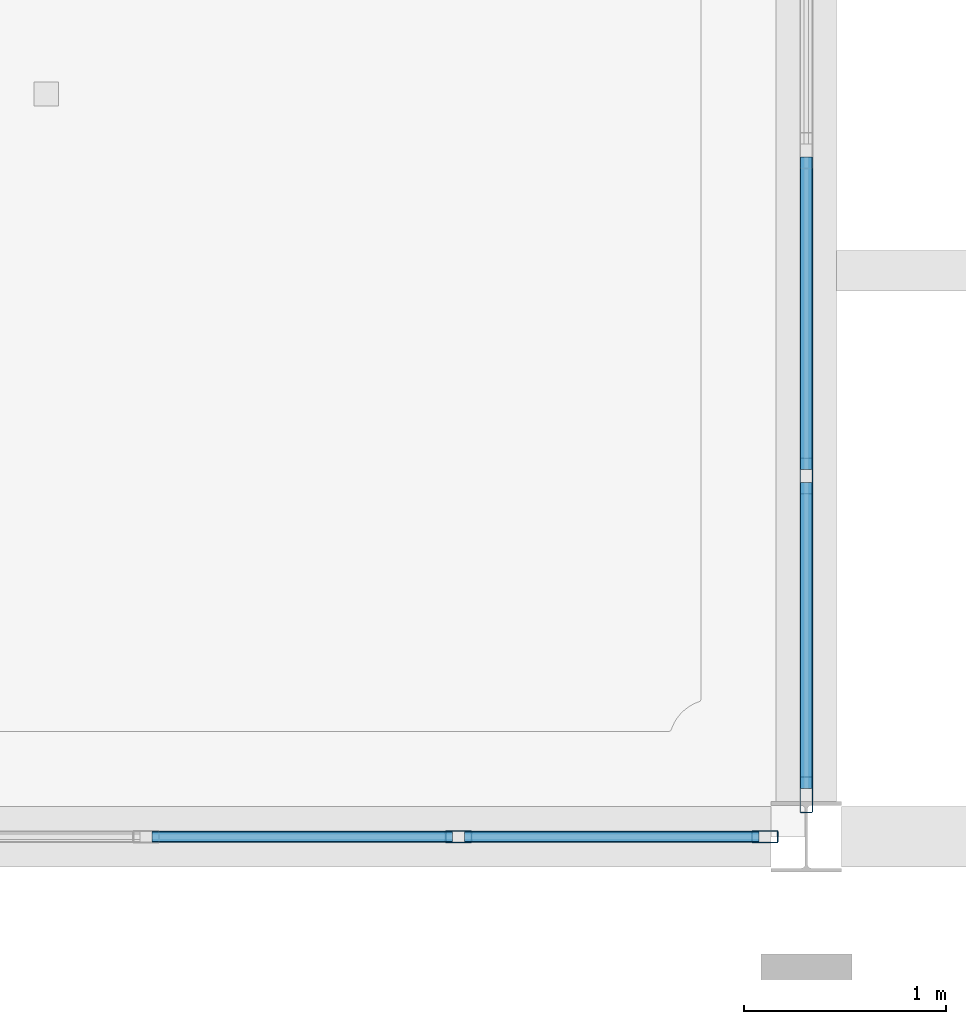
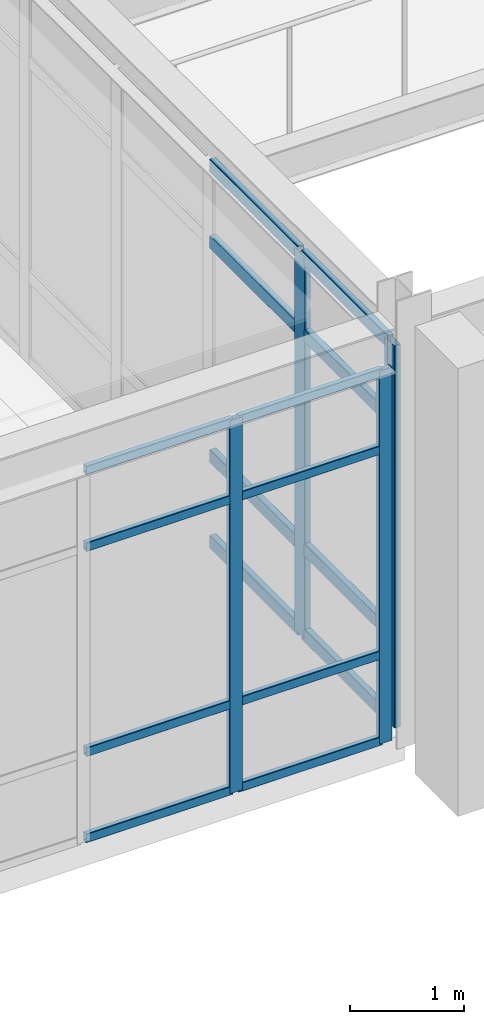
# One storey, part 33 of 139: 20 members, 2 elements without a shape of their own.
"""IFC4 building model written with IfcOpenShell, lengths in metres."""

from ifc_helpers import new_model, si_unit, direction, frame, origin, origin_2d, place, context, subcontext, project, spatial, hollow_rectangle, extrude, material, material_profile, profile_set, type_object, element, aggregate, save


model = new_model("IFC4")

# Units and contexts
model_context = context("Model", 3, precision=1e-05, world=origin(), true_north=direction((0.0, 1.0)))
body_context = subcontext(model_context, "Body", "Model", "MODEL_VIEW")
ifc_project = project(units=[si_unit("LENGTHUNIT", "METRE"), si_unit("AREAUNIT", "SQUARE_METRE"), si_unit("VOLUMEUNIT", "CUBIC_METRE"), si_unit("PLANEANGLEUNIT", "RADIAN"), si_unit("MASSUNIT", "GRAM", prefix="KILO")], contexts=[model_context])

# Site, building, storey
site_placement = place(None, origin())
site = spatial("IfcSite", under=ifc_project, at=site_placement, CompositionType="ELEMENT")
building_placement = place(site_placement, origin())
building = spatial("IfcBuilding", under=site, at=building_placement, Name="Canglan Escarpment Cableway Terminal", CompositionType="ELEMENT")
storey_placement = place(building_placement, frame((0.0, 0.0, 14.39990234375)))
storey = spatial("IfcBuildingStorey", under=building, at=storey_placement, Name="L03", CompositionType="ELEMENT", Elevation=14.39990234375)

# Curtain wall, members
ifc_material_1 = material(Name="Anodized bronze aluminium and Low-E double glazing", Category="aluminium")
curtain_wall_type_1 = type_object("IfcCurtainWallType", Name="CW-BAY-9275x4000", PredefinedType="NOTDEFINED", material=ifc_material_1)
curtain_wall_1_placement = place(storey_placement, origin())
curtain_wall_1 = element("IfcCurtainWall", 1, at=curtain_wall_1_placement, inside=storey, type_object=curtain_wall_type_1, Name="Classical bay-between-piers glazed curtain wall CW-29", PredefinedType="NOTDEFINED")
ifc_material_2 = material(Name="Thermally broken anodized aluminium 6063-T6", Category="aluminium")
ifc_material_profile_1 = material_profile(ifc_material_2, hollow_rectangle(XDim=0.06005859375, YDim=0.1298828125, WallThickness=0.0029296875, InnerFilletRadius=0.0029296875, OuterFilletRadius=0.006103515625, at=origin_2d()), Name="ALU-MULL 60x130x3")
ifc_profile_set_1 = profile_set([ifc_material_profile_1], Name="Thermally broken anodized aluminium 6063-T6")
member_type_1 = type_object("IfcMemberType", Name="CWM-01", PredefinedType="MULLION", material=ifc_profile_set_1)
member_1_placement = place(storey_placement, frame((164.67919921875, 8.0, 0.0), z_axis=(0.0, 0.0, 1.0), x_axis=(0.0, 1.0, 0.0)))
member_1 = element("IfcMember", 2, at=member_1_placement, type_object=member_type_1, Name="CW-29 mullion 6", PredefinedType="MULLION", context=body_context, shape_type="SweptSolid", body=[
    extrude(hollow_rectangle(XDim=0.06005859375, YDim=0.1298828125, WallThickness=0.0029296875, InnerFilletRadius=0.0029296875, OuterFilletRadius=0.006103515625, at=origin_2d()), origin(), (0.0, 0.0, 1.0), 3.9970703125),
])
member_2_placement = place(storey_placement, frame((166.195068359375, 8.0, 0.0), z_axis=(0.0, 0.0, 1.0), x_axis=(0.0, 1.0, 0.0)))
member_2 = element("IfcMember", 3, at=member_2_placement, type_object=member_type_1, Name="CW-29 mullion 7", PredefinedType="MULLION", context=body_context, shape_type="SweptSolid", body=[
    extrude(hollow_rectangle(XDim=0.06005859375, YDim=0.1298828125, WallThickness=0.0029296875, InnerFilletRadius=0.0029296875, OuterFilletRadius=0.006103515625, at=origin_2d()), origin(), (0.0, 0.0, 1.0), 3.9970703125),
])

curtain_wall_type_2 = type_object("IfcCurtainWallType", Name="CW-BAY-8050x4100", PredefinedType="NOTDEFINED", material=ifc_material_1)
curtain_wall_2_placement = place(storey_placement, origin())
curtain_wall_2 = element("IfcCurtainWall", 4, at=curtain_wall_2_placement, inside=storey, type_object=curtain_wall_type_2, Name="Classical bay-between-piers glazed curtain wall CW-30", PredefinedType="NOTDEFINED")
ifc_material_profile_2 = material_profile(ifc_material_2, hollow_rectangle(XDim=0.06494140625, YDim=0.179931640625, WallThickness=0.00390625, InnerFilletRadius=0.00390625, OuterFilletRadius=0.008056640625, at=origin_2d()), Name="ALU-MULL 65x180x4")
ifc_profile_set_2 = profile_set([ifc_material_profile_2], Name="Thermally broken anodized aluminium 6063-T6")
member_type_2 = type_object("IfcMemberType", Name="CWM-03", PredefinedType="MULLION", material=ifc_profile_set_2)
member_3_placement = place(storey_placement, frame((166.39990234375, 8.20751953125, 0.0), z_axis=(0.0, 0.0, 1.0), x_axis=(-1.0, 0.0, 0.0)))
member_3 = element("IfcMember", 5, at=member_3_placement, type_object=member_type_2, Name="CW-30 mullion 1", PredefinedType="MULLION", context=body_context, shape_type="SweptSolid", body=[
    extrude(hollow_rectangle(XDim=0.06494140625, YDim=0.179931640625, WallThickness=0.00390625, InnerFilletRadius=0.00390625, OuterFilletRadius=0.008056640625, at=origin_2d()), origin(), (0.0, 0.0, 1.0), 4.09521484375),
])
member_4_placement = place(storey_placement, frame((166.39990234375, 9.784912109375, 0.0), z_axis=(0.0, 0.0, 1.0), x_axis=(-1.0, 0.0, 0.0)))
member_4 = element("IfcMember", 6, at=member_4_placement, type_object=member_type_2, Name="CW-30 mullion 2", PredefinedType="MULLION", context=body_context, shape_type="SweptSolid", body=[
    extrude(hollow_rectangle(XDim=0.06494140625, YDim=0.179931640625, WallThickness=0.00390625, InnerFilletRadius=0.00390625, OuterFilletRadius=0.008056640625, at=origin_2d()), origin(), (0.0, 0.0, 1.0), 4.09521484375),
])

# Member
ifc_material_profile_3 = material_profile(ifc_material_2, hollow_rectangle(XDim=0.054931640625, YDim=0.094970703125, WallThickness=0.0029296875, InnerFilletRadius=0.0029296875, OuterFilletRadius=0.006103515625, at=origin_2d()), Name="ALU-TRAN 55x95x3")
ifc_profile_set_3 = profile_set([ifc_material_profile_3], Name="Thermally broken anodized aluminium 6063-T6")
member_type_3 = type_object("IfcMemberType", Name="CWT-01", PredefinedType="USERDEFINED", material=ifc_profile_set_3)
member_5_placement = place(storey_placement, frame((163.163330078125, 8.0, 0.027587890625), z_axis=(1.0, 0.0, 0.0), x_axis=(0.0, 1.0, 0.0)))
member_5 = element("IfcMember", 7, at=member_5_placement, type_object=member_type_3, Name="CW-29 transom 5.1", ObjectType="TRANSOM", PredefinedType="USERDEFINED", context=body_context, shape_type="SweptSolid", body=[
    extrude(hollow_rectangle(XDim=0.054931640625, YDim=0.094970703125, WallThickness=0.0029296875, InnerFilletRadius=0.0029296875, OuterFilletRadius=0.006103515625, at=origin_2d()), origin(), (0.0, 0.0, 1.0), 1.48583984375),
])

member_6_placement = place(storey_placement, frame((163.163330078125, 8.0, 0.9501953125), z_axis=(1.0, 0.0, 0.0), x_axis=(0.0, 1.0, 0.0)))
member_6 = element("IfcMember", 8, at=member_6_placement, type_object=member_type_3, Name="CW-29 transom 5.2", ObjectType="TRANSOM", PredefinedType="USERDEFINED", context=body_context, shape_type="SweptSolid", body=[
    extrude(hollow_rectangle(XDim=0.054931640625, YDim=0.094970703125, WallThickness=0.0029296875, InnerFilletRadius=0.0029296875, OuterFilletRadius=0.006103515625, at=origin_2d()), origin(), (0.0, 0.0, 1.0), 1.48583984375),
])

member_7_placement = place(storey_placement, frame((163.163330078125, 8.0, 3.147216796875), z_axis=(1.0, 0.0, 0.0), x_axis=(0.0, 1.0, 0.0)))
member_7 = element("IfcMember", 9, at=member_7_placement, type_object=member_type_3, Name="CW-29 transom 5.3", ObjectType="TRANSOM", PredefinedType="USERDEFINED", context=body_context, shape_type="SweptSolid", body=[
    extrude(hollow_rectangle(XDim=0.054931640625, YDim=0.094970703125, WallThickness=0.0029296875, InnerFilletRadius=0.0029296875, OuterFilletRadius=0.006103515625, at=origin_2d()), origin(), (0.0, 0.0, 1.0), 1.48583984375),
])

member_8_placement = place(storey_placement, frame((163.163330078125, 8.0, 3.969482421875), z_axis=(1.0, 0.0, 0.0), x_axis=(0.0, 1.0, 0.0)))
member_8 = element("IfcMember", 10, at=member_8_placement, type_object=member_type_3, Name="CW-29 transom 5.4", ObjectType="TRANSOM", PredefinedType="USERDEFINED", context=body_context, shape_type="SweptSolid", body=[
    extrude(hollow_rectangle(XDim=0.054931640625, YDim=0.094970703125, WallThickness=0.0029296875, InnerFilletRadius=0.0029296875, OuterFilletRadius=0.006103515625, at=origin_2d()), origin(), (0.0, 0.0, 1.0), 1.48583984375),
])

member_9_placement = place(storey_placement, frame((164.709228515625, 8.0, 0.027587890625), z_axis=(1.0, 0.0, 0.0), x_axis=(0.0, 1.0, 0.0)))
member_9 = element("IfcMember", 11, at=member_9_placement, type_object=member_type_3, Name="CW-29 transom 6.1", ObjectType="TRANSOM", PredefinedType="USERDEFINED", context=body_context, shape_type="SweptSolid", body=[
    extrude(hollow_rectangle(XDim=0.054931640625, YDim=0.094970703125, WallThickness=0.0029296875, InnerFilletRadius=0.0029296875, OuterFilletRadius=0.006103515625, at=origin_2d()), origin(), (0.0, 0.0, 1.0), 1.455810546875),
])

member_10_placement = place(storey_placement, frame((164.709228515625, 8.0, 0.9501953125), z_axis=(1.0, 0.0, 0.0), x_axis=(0.0, 1.0, 0.0)))
member_10 = element("IfcMember", 12, at=member_10_placement, type_object=member_type_3, Name="CW-29 transom 6.2", ObjectType="TRANSOM", PredefinedType="USERDEFINED", context=body_context, shape_type="SweptSolid", body=[
    extrude(hollow_rectangle(XDim=0.054931640625, YDim=0.094970703125, WallThickness=0.0029296875, InnerFilletRadius=0.0029296875, OuterFilletRadius=0.006103515625, at=origin_2d()), origin(), (0.0, 0.0, 1.0), 1.455810546875),
])

member_11_placement = place(storey_placement, frame((164.709228515625, 8.0, 3.147216796875), z_axis=(1.0, 0.0, 0.0), x_axis=(0.0, 1.0, 0.0)))
member_11 = element("IfcMember", 13, at=member_11_placement, type_object=member_type_3, Name="CW-29 transom 6.3", ObjectType="TRANSOM", PredefinedType="USERDEFINED", context=body_context, shape_type="SweptSolid", body=[
    extrude(hollow_rectangle(XDim=0.054931640625, YDim=0.094970703125, WallThickness=0.0029296875, InnerFilletRadius=0.0029296875, OuterFilletRadius=0.006103515625, at=origin_2d()), origin(), (0.0, 0.0, 1.0), 1.455810546875),
])

member_12_placement = place(storey_placement, frame((164.709228515625, 8.0, 3.969482421875), z_axis=(1.0, 0.0, 0.0), x_axis=(0.0, 1.0, 0.0)))
member_12 = element("IfcMember", 14, at=member_12_placement, type_object=member_type_3, Name="CW-29 transom 6.4", ObjectType="TRANSOM", PredefinedType="USERDEFINED", context=body_context, shape_type="SweptSolid", body=[
    extrude(hollow_rectangle(XDim=0.054931640625, YDim=0.094970703125, WallThickness=0.0029296875, InnerFilletRadius=0.0029296875, OuterFilletRadius=0.006103515625, at=origin_2d()), origin(), (0.0, 0.0, 1.0), 1.455810546875),
])

aggregate(curtain_wall_1, [member_1, member_2, member_5, member_6, member_7, member_8, member_9, member_10, member_11, member_12])

ifc_material_profile_4 = material_profile(ifc_material_2, hollow_rectangle(XDim=0.06494140625, YDim=0.139892578125, WallThickness=0.00341796875, InnerFilletRadius=0.00341796875, OuterFilletRadius=0.007080078125, at=origin_2d()), Name="ALU-TRAN 65x140x3.5")
ifc_profile_set_4 = profile_set([ifc_material_profile_4], Name="Thermally broken anodized aluminium 6063-T6")
member_type_4 = type_object("IfcMemberType", Name="CWT-03", PredefinedType="USERDEFINED", material=ifc_profile_set_4)
member_13_placement = place(storey_placement, frame((166.39990234375, 8.239990234375, 0.03271484375), z_axis=(0.0, 1.0, 0.0), x_axis=(-1.0, 0.0, 0.0)))
member_13 = element("IfcMember", 15, at=member_13_placement, type_object=member_type_4, Name="CW-30 transom 1.1", ObjectType="TRANSOM", PredefinedType="USERDEFINED", context=body_context, shape_type="SweptSolid", body=[
    extrude(hollow_rectangle(XDim=0.06494140625, YDim=0.139892578125, WallThickness=0.00341796875, InnerFilletRadius=0.00341796875, OuterFilletRadius=0.007080078125, at=origin_2d()), origin(), (0.0, 0.0, 1.0), 1.512451171875),
])

member_14_placement = place(storey_placement, frame((166.39990234375, 8.239990234375, 0.9501953125), z_axis=(0.0, 1.0, 0.0), x_axis=(-1.0, 0.0, 0.0)))
member_14 = element("IfcMember", 16, at=member_14_placement, type_object=member_type_4, Name="CW-30 transom 1.2", ObjectType="TRANSOM", PredefinedType="USERDEFINED", context=body_context, shape_type="SweptSolid", body=[
    extrude(hollow_rectangle(XDim=0.06494140625, YDim=0.139892578125, WallThickness=0.00341796875, InnerFilletRadius=0.00341796875, OuterFilletRadius=0.007080078125, at=origin_2d()), origin(), (0.0, 0.0, 1.0), 1.512451171875),
])

member_15_placement = place(storey_placement, frame((166.39990234375, 8.239990234375, 3.2451171875), z_axis=(0.0, 1.0, 0.0), x_axis=(-1.0, 0.0, 0.0)))
member_15 = element("IfcMember", 17, at=member_15_placement, type_object=member_type_4, Name="CW-30 transom 1.3", ObjectType="TRANSOM", PredefinedType="USERDEFINED", context=body_context, shape_type="SweptSolid", body=[
    extrude(hollow_rectangle(XDim=0.06494140625, YDim=0.139892578125, WallThickness=0.00341796875, InnerFilletRadius=0.00341796875, OuterFilletRadius=0.007080078125, at=origin_2d()), origin(), (0.0, 0.0, 1.0), 1.512451171875),
])

member_16_placement = place(storey_placement, frame((166.39990234375, 8.239990234375, 4.0625), z_axis=(0.0, 1.0, 0.0), x_axis=(-1.0, 0.0, 0.0)))
member_16 = element("IfcMember", 18, at=member_16_placement, type_object=member_type_4, Name="CW-30 transom 1.4", ObjectType="TRANSOM", PredefinedType="USERDEFINED", context=body_context, shape_type="SweptSolid", body=[
    extrude(hollow_rectangle(XDim=0.06494140625, YDim=0.139892578125, WallThickness=0.00341796875, InnerFilletRadius=0.00341796875, OuterFilletRadius=0.007080078125, at=origin_2d()), origin(), (0.0, 0.0, 1.0), 1.512451171875),
])

member_17_placement = place(storey_placement, frame((166.39990234375, 9.8173828125, 0.03271484375), z_axis=(0.0, 1.0, 0.0), x_axis=(-1.0, 0.0, 0.0)))
member_17 = element("IfcMember", 19, at=member_17_placement, type_object=member_type_4, Name="CW-30 transom 2.1", ObjectType="TRANSOM", PredefinedType="USERDEFINED", context=body_context, shape_type="SweptSolid", body=[
    extrude(hollow_rectangle(XDim=0.06494140625, YDim=0.139892578125, WallThickness=0.00341796875, InnerFilletRadius=0.00341796875, OuterFilletRadius=0.007080078125, at=origin_2d()), origin(), (0.0, 0.0, 1.0), 1.545166015625),
])

member_18_placement = place(storey_placement, frame((166.39990234375, 9.8173828125, 0.9501953125), z_axis=(0.0, 1.0, 0.0), x_axis=(-1.0, 0.0, 0.0)))
member_18 = element("IfcMember", 20, at=member_18_placement, type_object=member_type_4, Name="CW-30 transom 2.2", ObjectType="TRANSOM", PredefinedType="USERDEFINED", context=body_context, shape_type="SweptSolid", body=[
    extrude(hollow_rectangle(XDim=0.06494140625, YDim=0.139892578125, WallThickness=0.00341796875, InnerFilletRadius=0.00341796875, OuterFilletRadius=0.007080078125, at=origin_2d()), origin(), (0.0, 0.0, 1.0), 1.545166015625),
])

member_19_placement = place(storey_placement, frame((166.39990234375, 9.8173828125, 3.2451171875), z_axis=(0.0, 1.0, 0.0), x_axis=(-1.0, 0.0, 0.0)))
member_19 = element("IfcMember", 21, at=member_19_placement, type_object=member_type_4, Name="CW-30 transom 2.3", ObjectType="TRANSOM", PredefinedType="USERDEFINED", context=body_context, shape_type="SweptSolid", body=[
    extrude(hollow_rectangle(XDim=0.06494140625, YDim=0.139892578125, WallThickness=0.00341796875, InnerFilletRadius=0.00341796875, OuterFilletRadius=0.007080078125, at=origin_2d()), origin(), (0.0, 0.0, 1.0), 1.545166015625),
])

member_20_placement = place(storey_placement, frame((166.39990234375, 9.8173828125, 4.0625), z_axis=(0.0, 1.0, 0.0), x_axis=(-1.0, 0.0, 0.0)))
member_20 = element("IfcMember", 22, at=member_20_placement, type_object=member_type_4, Name="CW-30 transom 2.4", ObjectType="TRANSOM", PredefinedType="USERDEFINED", context=body_context, shape_type="SweptSolid", body=[
    extrude(hollow_rectangle(XDim=0.06494140625, YDim=0.139892578125, WallThickness=0.00341796875, InnerFilletRadius=0.00341796875, OuterFilletRadius=0.007080078125, at=origin_2d()), origin(), (0.0, 0.0, 1.0), 1.545166015625),
])

aggregate(curtain_wall_2, [member_3, member_4, member_13, member_14, member_15, member_16, member_17, member_18, member_19, member_20])

save(model, "model.ifc")
